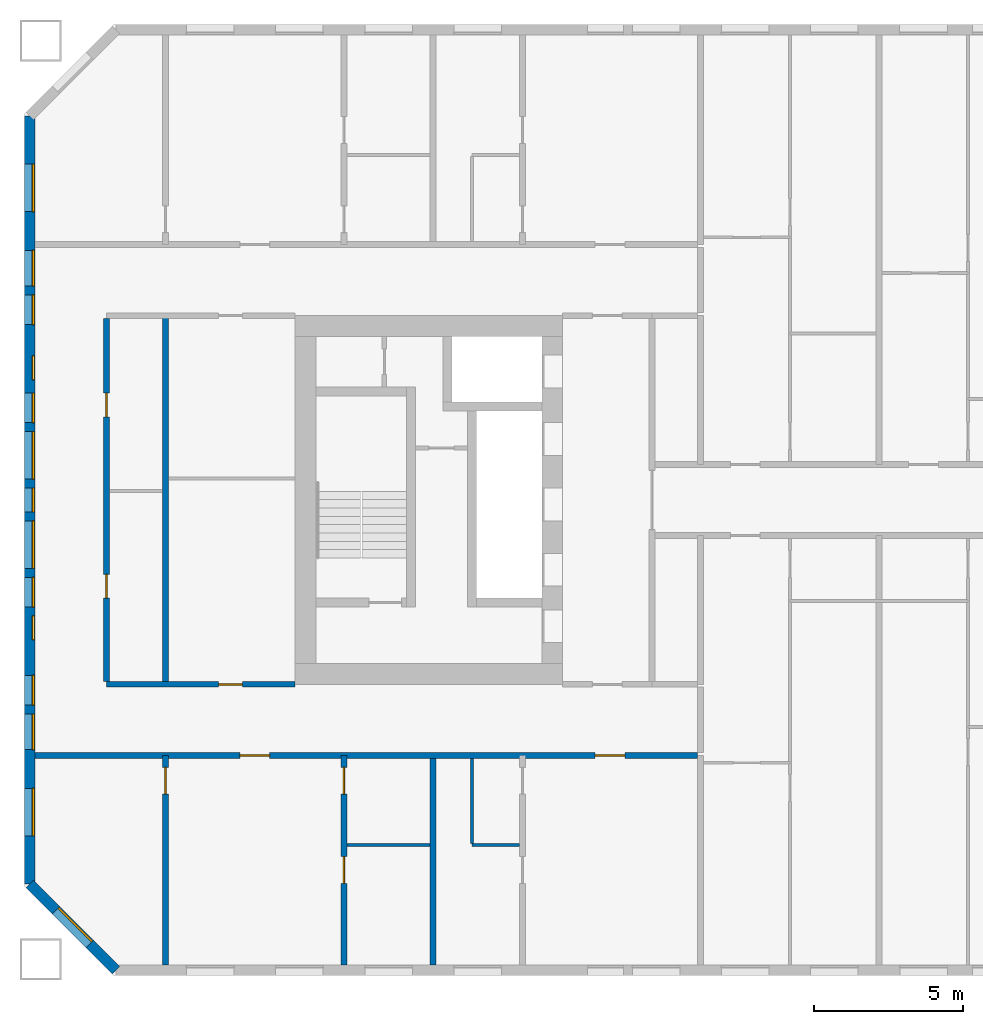
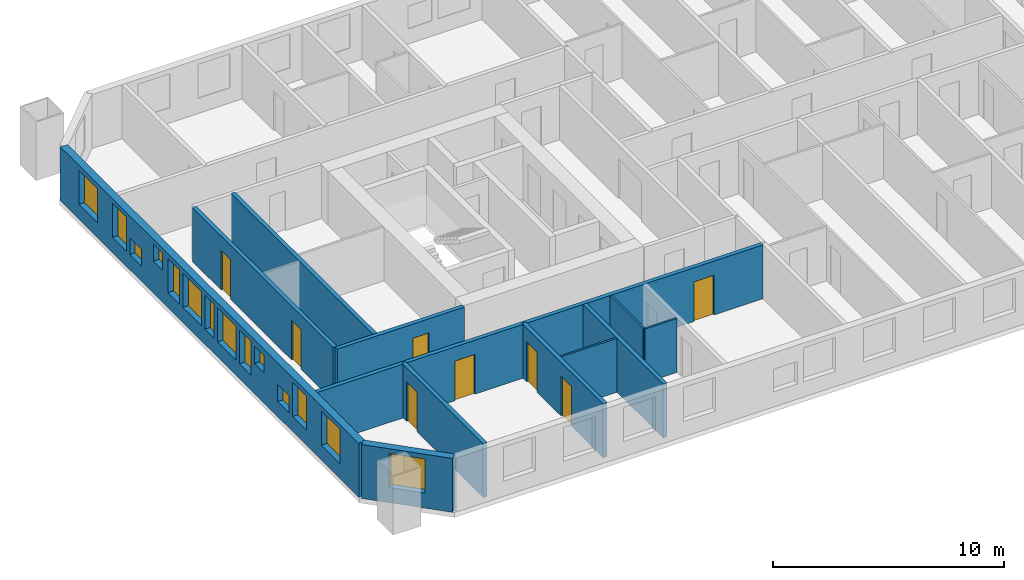
# One storey, part 2 of 17: 14 windows, 12 walls, 8 doors, 22 openings.
"""IFC4 building model written with IfcOpenShell, lengths in metres."""

from ifc_helpers import new_model, si_unit, direction, frame, frame_2d, origin, place, context, subcontext, project, spatial, rectangle, extrude, material, layer, layer_set, type_object, element, fill, save


model = new_model("IFC4")

# Units and contexts
model_context = context("Model", 3, precision=1e-05, world=origin(), true_north=direction((0.0, 1.0)))
body_context = subcontext(model_context, "Body", "Model", "MODEL_VIEW")
ifc_project = project(units=[si_unit("LENGTHUNIT", "METRE"), si_unit("AREAUNIT", "SQUARE_METRE"), si_unit("VOLUMEUNIT", "CUBIC_METRE"), si_unit("PLANEANGLEUNIT", "RADIAN"), si_unit("MASSUNIT", "GRAM", prefix="KILO")], contexts=[model_context])

# Site, building, storey
site_placement = place(None, origin())
site = spatial("IfcSite", under=ifc_project, at=site_placement, CompositionType="ELEMENT")
building_placement = place(site_placement, origin())
building = spatial("IfcBuilding", under=site, at=building_placement, Name="Tuart Gate Housing", CompositionType="ELEMENT")
storey_placement = place(building_placement, frame((0.0, 0.0, 80.89990234375)))
storey = spatial("IfcBuildingStorey", under=building, at=storey_placement, Name="L22", CompositionType="ELEMENT", Elevation=80.89990234375)

# Wall, opening, window
ifc_material_1 = material(Name="Brick", Category="masonry")
ifc_layer_1 = layer(ifc_material_1, 0.360107421875)
ifc_layer_set_1 = layer_set([ifc_layer_1], Name="Brick pier and spandrel wall 360")
wall_type_1 = type_object("IfcWallType", Name="Brick pier and spandrel wall 360", PredefinedType="STANDARD", material=ifc_layer_set_1)
wall_1_placement = place(storey_placement, frame((23.429931640625, 57.07470703125, 0.0), z_axis=(0.0, 0.0, 1.0), x_axis=(0.707106781187, -0.707106781187, 0.0)))
wall_1 = element("IfcWall", 1, at=wall_1_placement, inside=storey, type_object=wall_type_1, Name="External wall A-SW L22", PredefinedType="STANDARD", context=body_context, shape_type="SweptSolid", body=[
    extrude(rectangle(XDim=4.09375, YDim=0.360107421875, at=frame_2d((2.046875, 0.0))), origin(), (0.0, 0.0, 1.0), 2.85009765625),
])
opening_1_placement = place(wall_1_placement, frame((1.2470703125, 0.0, 0.800048828125)))
opening_1 = element("IfcOpeningElement", 2, at=opening_1_placement, cuts=wall_1, Name="Opening W1", PredefinedType="OPENING", context=body_context, shape_type="SweptSolid", body=[
    extrude(rectangle(XDim=1.60009765625, YDim=1.800048828125, at=frame_2d((0.800048828125, 0.89990234375))), frame((0.0, 0.18994140625, 0.0), z_axis=(0.0, -1.0, 0.0), x_axis=(1.0, 0.0, 0.0)), (0.0, 0.0, 1.0), 0.380126953125),
])
ifc_material_2 = material(Name="Aluminium frame with clear glass", Category="aluminium")
window_type_1 = type_object("IfcWindowType", Name="Punched window 1600 x 1800", PartitioningType="SINGLE_PANEL", PredefinedType="WINDOW", material=ifc_material_2)
window_1_placement = place(opening_1_placement, origin())
window_1 = element("IfcWindow", 3, at=window_1_placement, inside=storey, type_object=window_type_1, Name="Window W1", OverallHeight=1.800048828125, OverallWidth=1.60009765625, PartitioningType="SINGLE_PANEL", PredefinedType="WINDOW", context=body_context, shape_type="SweptSolid", body=[
    extrude(rectangle(XDim=1.60009765625, YDim=1.800048828125, at=frame_2d((0.800048828125, 0.89990234375))), frame((0.0, 0.150146484375, 0.0), z_axis=(0.0, -1.0, 0.0), x_axis=(1.0, 0.0, 0.0)), (0.0, 0.0, 1.0), 0.06005859375),
])
fill(opening_1, window_1)

# Wall, openings, windows
wall_2_placement = place(storey_placement, frame((23.429931640625, 82.92529296875, 0.0), z_axis=(0.0, 0.0, 1.0), x_axis=(0.0, -1.0, 0.0)))
wall_2 = element("IfcWall", 4, at=wall_2_placement, inside=storey, type_object=wall_type_1, Name="External wall A-W L22", PredefinedType="STANDARD", context=body_context, shape_type="SweptSolid", body=[
    extrude(rectangle(XDim=25.850830078125, YDim=0.360107421875, at=frame_2d((12.92529296875, 0.0))), origin(), (0.0, 0.0, 1.0), 2.85009765625),
])
opening_2_placement = place(wall_2_placement, frame((1.62548828125, 0.0, 0.800048828125)))
opening_2 = element("IfcOpeningElement", 5, at=opening_2_placement, cuts=wall_2, Name="Opening W1", PredefinedType="OPENING", context=body_context, shape_type="SweptSolid", body=[
    extrude(rectangle(XDim=1.60009765625, YDim=1.800048828125, at=frame_2d((0.800048828125, 0.89990234375))), frame((0.0, 0.18994140625, 0.0), z_axis=(0.0, -1.0, 0.0), x_axis=(1.0, 0.0, 0.0)), (0.0, 0.0, 1.0), 0.380126953125),
])
opening_3_placement = place(wall_2_placement, frame((4.525390625, 0.0, 0.800048828125)))
opening_3 = element("IfcOpeningElement", 6, at=opening_3_placement, cuts=wall_2, Name="Opening W1B", PredefinedType="OPENING", context=body_context, shape_type="SweptSolid", body=[
    extrude(rectangle(XDim=1.199951171875, YDim=1.800048828125, at=frame_2d((0.60009765625, 0.89990234375))), frame((0.0, 0.18994140625, 0.0), z_axis=(0.0, -1.0, 0.0), x_axis=(1.0, 0.0, 0.0)), (0.0, 0.0, 1.0), 0.380126953125),
])
opening_4_placement = place(wall_2_placement, frame((6.025390625, 0.0, 0.800048828125)))
opening_4 = element("IfcOpeningElement", 7, at=opening_4_placement, cuts=wall_2, Name="Opening W1U", PredefinedType="OPENING", context=body_context, shape_type="SweptSolid", body=[
    extrude(rectangle(XDim=1.0, YDim=0.89990234375, at=frame_2d((0.5, 0.449951171875))), frame((0.0, 0.18994140625, 0.0), z_axis=(0.0, -1.0, 0.0), x_axis=(1.0, 0.0, 0.0)), (0.0, 0.0, 1.0), 0.380126953125),
])
opening_5_placement = place(wall_2_placement, frame((10.62548828125, 0.0, 0.800048828125)))
opening_5 = element("IfcOpeningElement", 8, at=opening_5_placement, cuts=wall_2, Name="Opening W1", PredefinedType="OPENING", context=body_context, shape_type="SweptSolid", body=[
    extrude(rectangle(XDim=1.60009765625, YDim=1.800048828125, at=frame_2d((0.800048828125, 0.89990234375))), frame((0.0, 0.18994140625, 0.0), z_axis=(0.0, -1.0, 0.0), x_axis=(1.0, 0.0, 0.0)), (0.0, 0.0, 1.0), 0.380126953125),
])
opening_6_placement = place(wall_2_placement, frame((13.62548828125, 0.0, 0.800048828125)))
opening_6 = element("IfcOpeningElement", 9, at=opening_6_placement, cuts=wall_2, Name="Opening W1", PredefinedType="OPENING", context=body_context, shape_type="SweptSolid", body=[
    extrude(rectangle(XDim=1.60009765625, YDim=1.800048828125, at=frame_2d((0.800048828125, 0.89990234375))), frame((0.0, 0.18994140625, 0.0), z_axis=(0.0, -1.0, 0.0), x_axis=(1.0, 0.0, 0.0)), (0.0, 0.0, 1.0), 0.380126953125),
])
opening_7_placement = place(wall_2_placement, frame((8.075439453125, 0.0, 1.699951171875)))
opening_7 = element("IfcOpeningElement", 10, at=opening_7_placement, cuts=wall_2, Name="Opening W1V", PredefinedType="OPENING", context=body_context, shape_type="SweptSolid", body=[
    extrude(rectangle(XDim=0.800048828125, YDim=0.89990234375, at=frame_2d((0.39990234375, 0.449951171875))), frame((0.0, 0.18994140625, 0.0), z_axis=(0.0, -1.0, 0.0), x_axis=(1.0, 0.0, 0.0)), (0.0, 0.0, 1.0), 0.380126953125),
])
opening_8_placement = place(wall_2_placement, frame((9.325439453125, 0.0, 0.800048828125)))
opening_8 = element("IfcOpeningElement", 11, at=opening_8_placement, cuts=wall_2, Name="Opening W1C", PredefinedType="OPENING", context=body_context, shape_type="SweptSolid", body=[
    extrude(rectangle(XDim=1.0, YDim=1.800048828125, at=frame_2d((0.5, 0.89990234375))), frame((0.0, 0.18994140625, 0.0), z_axis=(0.0, -1.0, 0.0), x_axis=(1.0, 0.0, 0.0)), (0.0, 0.0, 1.0), 0.380126953125),
])
opening_9_placement = place(wall_2_placement, frame((22.62548828125, 0.0, 0.800048828125)))
opening_9 = element("IfcOpeningElement", 12, at=opening_9_placement, cuts=wall_2, Name="Opening W1", PredefinedType="OPENING", context=body_context, shape_type="SweptSolid", body=[
    extrude(rectangle(XDim=1.60009765625, YDim=1.800048828125, at=frame_2d((0.800048828125, 0.89990234375))), frame((0.0, 0.18994140625, 0.0), z_axis=(0.0, -1.0, 0.0), x_axis=(1.0, 0.0, 0.0)), (0.0, 0.0, 1.0), 0.380126953125),
])
opening_10_placement = place(wall_2_placement, frame((12.525390625, 0.0, 0.800048828125)))
opening_10 = element("IfcOpeningElement", 13, at=opening_10_placement, cuts=wall_2, Name="Opening W1D", PredefinedType="OPENING", context=body_context, shape_type="SweptSolid", body=[
    extrude(rectangle(XDim=0.800048828125, YDim=1.800048828125, at=frame_2d((0.39990234375, 0.89990234375))), frame((0.0, 0.18994140625, 0.0), z_axis=(0.0, -1.0, 0.0), x_axis=(1.0, 0.0, 0.0)), (0.0, 0.0, 1.0), 0.380126953125),
])
opening_11_placement = place(wall_2_placement, frame((15.525390625, 0.0, 0.800048828125)))
opening_11 = element("IfcOpeningElement", 14, at=opening_11_placement, cuts=wall_2, Name="Opening W1C", PredefinedType="OPENING", context=body_context, shape_type="SweptSolid", body=[
    extrude(rectangle(XDim=1.0, YDim=1.800048828125, at=frame_2d((0.5, 0.89990234375))), frame((0.0, 0.18994140625, 0.0), z_axis=(0.0, -1.0, 0.0), x_axis=(1.0, 0.0, 0.0)), (0.0, 0.0, 1.0), 0.380126953125),
])
opening_12_placement = place(wall_2_placement, frame((16.825439453125, 0.0, 1.60009765625)))
opening_12 = element("IfcOpeningElement", 15, at=opening_12_placement, cuts=wall_2, Name="Opening W1V", PredefinedType="OPENING", context=body_context, shape_type="SweptSolid", body=[
    extrude(rectangle(XDim=0.800048828125, YDim=0.89990234375, at=frame_2d((0.39990234375, 0.449951171875))), frame((0.0, 0.18994140625, 0.0), z_axis=(0.0, -1.0, 0.0), x_axis=(1.0, 0.0, 0.0)), (0.0, 0.0, 1.0), 0.380126953125),
])
opening_13_placement = place(wall_2_placement, frame((18.825439453125, 0.0, 0.800048828125)))
opening_13 = element("IfcOpeningElement", 16, at=opening_13_placement, cuts=wall_2, Name="Opening W1U", PredefinedType="OPENING", context=body_context, shape_type="SweptSolid", body=[
    extrude(rectangle(XDim=1.0, YDim=0.89990234375, at=frame_2d((0.5, 0.449951171875))), frame((0.0, 0.18994140625, 0.0), z_axis=(0.0, -1.0, 0.0), x_axis=(1.0, 0.0, 0.0)), (0.0, 0.0, 1.0), 0.380126953125),
])
opening_14_placement = place(wall_2_placement, frame((20.12548828125, 0.0, 0.800048828125)))
opening_14 = element("IfcOpeningElement", 17, at=opening_14_placement, cuts=wall_2, Name="Opening W1B", PredefinedType="OPENING", context=body_context, shape_type="SweptSolid", body=[
    extrude(rectangle(XDim=1.199951171875, YDim=1.800048828125, at=frame_2d((0.60009765625, 0.89990234375))), frame((0.0, 0.18994140625, 0.0), z_axis=(0.0, -1.0, 0.0), x_axis=(1.0, 0.0, 0.0)), (0.0, 0.0, 1.0), 0.380126953125),
])
ifc_material_3 = material(Name="Aluminium frame with clear glass", Category="aluminium")
window_type_2 = type_object("IfcWindowType", Name="Punched window 1000 x 1800", PartitioningType="SINGLE_PANEL", PredefinedType="WINDOW", material=ifc_material_3)
window_2_placement = place(opening_8_placement, origin())
window_2 = element("IfcWindow", 18, at=window_2_placement, inside=storey, type_object=window_type_2, Name="Window W1C", OverallHeight=1.800048828125, OverallWidth=1.0, PartitioningType="SINGLE_PANEL", PredefinedType="WINDOW", context=body_context, shape_type="SweptSolid", body=[
    extrude(rectangle(XDim=1.0, YDim=1.800048828125, at=frame_2d((0.5, 0.89990234375))), frame((0.0, 0.150146484375, 0.0), z_axis=(0.0, -1.0, 0.0), x_axis=(1.0, 0.0, 0.0)), (0.0, 0.0, 1.0), 0.06005859375),
])
fill(opening_8, window_2)
window_3_placement = place(opening_11_placement, origin())
window_3 = element("IfcWindow", 19, at=window_3_placement, inside=storey, type_object=window_type_2, Name="Window W1C", OverallHeight=1.800048828125, OverallWidth=1.0, PartitioningType="SINGLE_PANEL", PredefinedType="WINDOW", context=body_context, shape_type="SweptSolid", body=[
    extrude(rectangle(XDim=1.0, YDim=1.800048828125, at=frame_2d((0.5, 0.89990234375))), frame((0.0, 0.150146484375, 0.0), z_axis=(0.0, -1.0, 0.0), x_axis=(1.0, 0.0, 0.0)), (0.0, 0.0, 1.0), 0.06005859375),
])
fill(opening_11, window_3)
ifc_material_4 = material(Name="Aluminium frame with clear glass", Category="aluminium")
window_type_3 = type_object("IfcWindowType", Name="Punched window 1000 x 900", PartitioningType="SINGLE_PANEL", PredefinedType="WINDOW", material=ifc_material_4)
window_4_placement = place(opening_4_placement, origin())
window_4 = element("IfcWindow", 20, at=window_4_placement, inside=storey, type_object=window_type_3, Name="Window W1U", OverallHeight=0.89990234375, OverallWidth=1.0, PartitioningType="SINGLE_PANEL", PredefinedType="WINDOW", context=body_context, shape_type="SweptSolid", body=[
    extrude(rectangle(XDim=1.0, YDim=0.89990234375, at=frame_2d((0.5, 0.449951171875))), frame((0.0, 0.150146484375, 0.0), z_axis=(0.0, -1.0, 0.0), x_axis=(1.0, 0.0, 0.0)), (0.0, 0.0, 1.0), 0.06005859375),
])
fill(opening_4, window_4)
window_5_placement = place(opening_13_placement, origin())
window_5 = element("IfcWindow", 21, at=window_5_placement, inside=storey, type_object=window_type_3, Name="Window W1U", OverallHeight=0.89990234375, OverallWidth=1.0, PartitioningType="SINGLE_PANEL", PredefinedType="WINDOW", context=body_context, shape_type="SweptSolid", body=[
    extrude(rectangle(XDim=1.0, YDim=0.89990234375, at=frame_2d((0.5, 0.449951171875))), frame((0.0, 0.150146484375, 0.0), z_axis=(0.0, -1.0, 0.0), x_axis=(1.0, 0.0, 0.0)), (0.0, 0.0, 1.0), 0.06005859375),
])
fill(opening_13, window_5)
ifc_material_5 = material(Name="Aluminium frame with clear glass", Category="aluminium")
window_type_4 = type_object("IfcWindowType", Name="Punched window 1200 x 1800", PartitioningType="SINGLE_PANEL", PredefinedType="WINDOW", material=ifc_material_5)
window_6_placement = place(opening_3_placement, origin())
window_6 = element("IfcWindow", 22, at=window_6_placement, inside=storey, type_object=window_type_4, Name="Window W1B", OverallHeight=1.800048828125, OverallWidth=1.199951171875, PartitioningType="SINGLE_PANEL", PredefinedType="WINDOW", context=body_context, shape_type="SweptSolid", body=[
    extrude(rectangle(XDim=1.199951171875, YDim=1.800048828125, at=frame_2d((0.60009765625, 0.89990234375))), frame((0.0, 0.150146484375, 0.0), z_axis=(0.0, -1.0, 0.0), x_axis=(1.0, 0.0, 0.0)), (0.0, 0.0, 1.0), 0.06005859375),
])
fill(opening_3, window_6)
window_7_placement = place(opening_14_placement, origin())
window_7 = element("IfcWindow", 23, at=window_7_placement, inside=storey, type_object=window_type_4, Name="Window W1B", OverallHeight=1.800048828125, OverallWidth=1.199951171875, PartitioningType="SINGLE_PANEL", PredefinedType="WINDOW", context=body_context, shape_type="SweptSolid", body=[
    extrude(rectangle(XDim=1.199951171875, YDim=1.800048828125, at=frame_2d((0.60009765625, 0.89990234375))), frame((0.0, 0.150146484375, 0.0), z_axis=(0.0, -1.0, 0.0), x_axis=(1.0, 0.0, 0.0)), (0.0, 0.0, 1.0), 0.06005859375),
])
fill(opening_14, window_7)
window_8_placement = place(opening_2_placement, origin())
window_8 = element("IfcWindow", 24, at=window_8_placement, inside=storey, type_object=window_type_1, Name="Window W1", OverallHeight=1.800048828125, OverallWidth=1.60009765625, PartitioningType="SINGLE_PANEL", PredefinedType="WINDOW", context=body_context, shape_type="SweptSolid", body=[
    extrude(rectangle(XDim=1.60009765625, YDim=1.800048828125, at=frame_2d((0.800048828125, 0.89990234375))), frame((0.0, 0.150146484375, 0.0), z_axis=(0.0, -1.0, 0.0), x_axis=(1.0, 0.0, 0.0)), (0.0, 0.0, 1.0), 0.06005859375),
])
fill(opening_2, window_8)
window_9_placement = place(opening_5_placement, origin())
window_9 = element("IfcWindow", 25, at=window_9_placement, inside=storey, type_object=window_type_1, Name="Window W1", OverallHeight=1.800048828125, OverallWidth=1.60009765625, PartitioningType="SINGLE_PANEL", PredefinedType="WINDOW", context=body_context, shape_type="SweptSolid", body=[
    extrude(rectangle(XDim=1.60009765625, YDim=1.800048828125, at=frame_2d((0.800048828125, 0.89990234375))), frame((0.0, 0.150146484375, 0.0), z_axis=(0.0, -1.0, 0.0), x_axis=(1.0, 0.0, 0.0)), (0.0, 0.0, 1.0), 0.06005859375),
])
fill(opening_5, window_9)
window_10_placement = place(opening_6_placement, origin())
window_10 = element("IfcWindow", 26, at=window_10_placement, inside=storey, type_object=window_type_1, Name="Window W1", OverallHeight=1.800048828125, OverallWidth=1.60009765625, PartitioningType="SINGLE_PANEL", PredefinedType="WINDOW", context=body_context, shape_type="SweptSolid", body=[
    extrude(rectangle(XDim=1.60009765625, YDim=1.800048828125, at=frame_2d((0.800048828125, 0.89990234375))), frame((0.0, 0.150146484375, 0.0), z_axis=(0.0, -1.0, 0.0), x_axis=(1.0, 0.0, 0.0)), (0.0, 0.0, 1.0), 0.06005859375),
])
fill(opening_6, window_10)
window_11_placement = place(opening_9_placement, origin())
window_11 = element("IfcWindow", 27, at=window_11_placement, inside=storey, type_object=window_type_1, Name="Window W1", OverallHeight=1.800048828125, OverallWidth=1.60009765625, PartitioningType="SINGLE_PANEL", PredefinedType="WINDOW", context=body_context, shape_type="SweptSolid", body=[
    extrude(rectangle(XDim=1.60009765625, YDim=1.800048828125, at=frame_2d((0.800048828125, 0.89990234375))), frame((0.0, 0.150146484375, 0.0), z_axis=(0.0, -1.0, 0.0), x_axis=(1.0, 0.0, 0.0)), (0.0, 0.0, 1.0), 0.06005859375),
])
fill(opening_9, window_11)
ifc_material_6 = material(Name="Aluminium frame with clear glass", Category="aluminium")
window_type_5 = type_object("IfcWindowType", Name="Punched window 800 x 1800", PartitioningType="SINGLE_PANEL", PredefinedType="WINDOW", material=ifc_material_6)
window_12_placement = place(opening_10_placement, origin())
window_12 = element("IfcWindow", 28, at=window_12_placement, inside=storey, type_object=window_type_5, Name="Window W1D", OverallHeight=1.800048828125, OverallWidth=0.800048828125, PartitioningType="SINGLE_PANEL", PredefinedType="WINDOW", context=body_context, shape_type="SweptSolid", body=[
    extrude(rectangle(XDim=0.800048828125, YDim=1.800048828125, at=frame_2d((0.39990234375, 0.89990234375))), frame((0.0, 0.150146484375, 0.0), z_axis=(0.0, -1.0, 0.0), x_axis=(1.0, 0.0, 0.0)), (0.0, 0.0, 1.0), 0.06005859375),
])
fill(opening_10, window_12)
ifc_material_7 = material(Name="Aluminium frame with clear glass", Category="aluminium")
window_type_6 = type_object("IfcWindowType", Name="Punched window 800 x 900", PartitioningType="SINGLE_PANEL", PredefinedType="WINDOW", material=ifc_material_7)
window_13_placement = place(opening_7_placement, origin())
window_13 = element("IfcWindow", 29, at=window_13_placement, inside=storey, type_object=window_type_6, Name="Window W1V", OverallHeight=0.89990234375, OverallWidth=0.800048828125, PartitioningType="SINGLE_PANEL", PredefinedType="WINDOW", context=body_context, shape_type="SweptSolid", body=[
    extrude(rectangle(XDim=0.800048828125, YDim=0.89990234375, at=frame_2d((0.39990234375, 0.449951171875))), frame((0.0, 0.150146484375, 0.0), z_axis=(0.0, -1.0, 0.0), x_axis=(1.0, 0.0, 0.0)), (0.0, 0.0, 1.0), 0.06005859375),
])
fill(opening_7, window_13)
window_14_placement = place(opening_12_placement, origin())
window_14 = element("IfcWindow", 30, at=window_14_placement, inside=storey, type_object=window_type_6, Name="Window W1V", OverallHeight=0.89990234375, OverallWidth=0.800048828125, PartitioningType="SINGLE_PANEL", PredefinedType="WINDOW", context=body_context, shape_type="SweptSolid", body=[
    extrude(rectangle(XDim=0.800048828125, YDim=0.89990234375, at=frame_2d((0.39990234375, 0.449951171875))), frame((0.0, 0.150146484375, 0.0), z_axis=(0.0, -1.0, 0.0), x_axis=(1.0, 0.0, 0.0)), (0.0, 0.0, 1.0), 0.06005859375),
])
fill(opening_12, window_14)

# Wall, openings, doors
ifc_material_8 = material(Name="Concrete masonry 15 MPa", Category="masonry")
ifc_layer_2 = layer(ifc_material_8, 0.199951171875)
ifc_layer_set_2 = layer_set([ifc_layer_2], Name="Corridor wall masonry 200")
wall_type_2 = type_object("IfcWallType", Name="Corridor wall masonry 200", PredefinedType="PARTITIONING", material=ifc_layer_set_2)
wall_3_placement = place(storey_placement, frame((23.610107421875, 61.39990234375, 0.0), z_axis=(0.0, 0.0, 1.0), x_axis=(1.0, 0.0, 0.0)))
wall_3 = element("IfcWall", 31, at=wall_3_placement, inside=storey, type_object=wall_type_2, Name="Corridor wall masonry 200", PredefinedType="PARTITIONING", context=body_context, shape_type="SweptSolid", body=[
    extrude(rectangle(XDim=22.289794921875, YDim=0.199951171875, at=frame_2d((11.14501953125, 0.0))), origin(), (0.0, 0.0, 1.0), 2.85009765625),
])
opening_15_placement = place(wall_3_placement, frame((18.840087890625, 0.0, 0.0)))
opening_15 = element("IfcOpeningElement", 32, at=opening_15_placement, cuts=wall_3, Name="Opening D1001", PredefinedType="OPENING", context=body_context, shape_type="SweptSolid", body=[
    extrude(rectangle(XDim=1.0, YDim=2.10009765625, at=frame_2d((0.5, 1.050048828125))), frame((0.0, 0.10986328125, 0.0), z_axis=(0.0, -1.0, 0.0), x_axis=(1.0, 0.0, 0.0)), (0.0, 0.0, 1.0), 0.219970703125),
])
opening_16_placement = place(wall_3_placement, frame((6.889892578125, 0.0, 0.0)))
opening_16 = element("IfcOpeningElement", 33, at=opening_16_placement, cuts=wall_3, Name="Opening D1002", PredefinedType="OPENING", context=body_context, shape_type="SweptSolid", body=[
    extrude(rectangle(XDim=1.0, YDim=2.10009765625, at=frame_2d((0.5, 1.050048828125))), frame((0.0, 0.10986328125, 0.0), z_axis=(0.0, -1.0, 0.0), x_axis=(1.0, 0.0, 0.0)), (0.0, 0.0, 1.0), 0.219970703125),
])
ifc_material_9 = material(Name="Timber door leaf in steel frame", Category="steel")
door_type_1 = type_object("IfcDoorType", Name="Flat entrance door 1000 RH", OperationType="SINGLE_SWING_RIGHT", PredefinedType="DOOR", material=ifc_material_9)
door_1_placement = place(opening_15_placement, frame((1.0, 0.0, 0.0), z_axis=(0.0, 0.0, 1.0), x_axis=(-1.0, 0.0, 0.0)))
door_1 = element("IfcDoor", 34, at=door_1_placement, inside=storey, type_object=door_type_1, Name="Flat entrance door", OperationType="SINGLE_SWING_RIGHT", OverallHeight=2.10009765625, OverallWidth=1.0, PredefinedType="DOOR", context=body_context, shape_type="SweptSolid", body=[
    extrude(rectangle(XDim=1.0, YDim=2.10009765625, at=frame_2d((0.5, 1.050048828125))), frame((0.0, 0.025146484375, 0.0), z_axis=(0.0, -1.0, 0.0), x_axis=(1.0, 0.0, 0.0)), (0.0, 0.0, 1.0), 0.050048828125),
])
fill(opening_15, door_1)
door_2_placement = place(opening_16_placement, frame((1.0, 0.0, 0.0), z_axis=(0.0, 0.0, 1.0), x_axis=(-1.0, 0.0, 0.0)))
door_2 = element("IfcDoor", 35, at=door_2_placement, inside=storey, type_object=door_type_1, Name="Flat entrance door", OperationType="SINGLE_SWING_RIGHT", OverallHeight=2.10009765625, OverallWidth=1.0, PredefinedType="DOOR", context=body_context, shape_type="SweptSolid", body=[
    extrude(rectangle(XDim=1.0, YDim=2.10009765625, at=frame_2d((0.5, 1.050048828125))), frame((0.0, 0.025146484375, 0.0), z_axis=(0.0, -1.0, 0.0), x_axis=(1.0, 0.0, 0.0)), (0.0, 0.0, 1.0), 0.050048828125),
])
fill(opening_16, door_2)

# Wall, opening, door
wall_4_placement = place(storey_placement, frame((26.010009765625, 63.800048828125, 0.0), z_axis=(0.0, 0.0, 1.0), x_axis=(1.0, 0.0, 0.0)))
wall_4 = element("IfcWall", 36, at=wall_4_placement, inside=storey, type_object=wall_type_2, Name="Corridor wall masonry 200", PredefinedType="PARTITIONING", context=body_context, shape_type="SweptSolid", body=[
    extrude(rectangle(XDim=6.35009765625, YDim=0.199951171875, at=frame_2d((3.175048828125, 0.0))), origin(), (0.0, 0.0, 1.0), 2.85009765625),
])
opening_17_placement = place(wall_4_placement, frame((3.77001953125, 0.0, 0.0)))
opening_17 = element("IfcOpeningElement", 37, at=opening_17_placement, cuts=wall_4, Name="Opening D990", PredefinedType="OPENING", context=body_context, shape_type="SweptSolid", body=[
    extrude(rectangle(XDim=0.800048828125, YDim=2.10009765625, at=frame_2d((0.39990234375, 1.050048828125))), frame((0.0, 0.10986328125, 0.0), z_axis=(0.0, -1.0, 0.0), x_axis=(1.0, 0.0, 0.0)), (0.0, 0.0, 1.0), 0.219970703125),
])
ifc_material_10 = material(Name="Timber door leaf in steel frame", Category="steel")
door_type_2 = type_object("IfcDoorType", Name="Store door 800", OperationType="SINGLE_SWING_LEFT", PredefinedType="DOOR", material=ifc_material_10)
door_3_placement = place(opening_17_placement, origin())
door_3 = element("IfcDoor", 38, at=door_3_placement, inside=storey, type_object=door_type_2, Name="Store door", OperationType="SINGLE_SWING_LEFT", OverallHeight=2.10009765625, OverallWidth=0.800048828125, PredefinedType="DOOR", context=body_context, shape_type="SweptSolid", body=[
    extrude(rectangle(XDim=0.800048828125, YDim=2.10009765625, at=frame_2d((0.39990234375, 1.050048828125))), frame((0.0, 0.02490234375, 0.0), z_axis=(0.0, -1.0, 0.0), x_axis=(1.0, 0.0, 0.0)), (0.0, 0.0, 1.0), 0.050048828125),
])
fill(opening_17, door_3)

# Wall, openings, doors
wall_5_placement = place(storey_placement, frame((26.010009765625, 63.89990234375, 0.0), z_axis=(0.0, 0.0, 1.0), x_axis=(0.0, 1.0, 0.0)))
wall_5 = element("IfcWall", 39, at=wall_5_placement, inside=storey, type_object=wall_type_2, Name="Corridor wall masonry 200", PredefinedType="PARTITIONING", context=body_context, shape_type="SweptSolid", body=[
    extrude(rectangle(XDim=12.2001953125, YDim=0.199951171875, at=frame_2d((6.10009765625, 0.0))), origin(), (0.0, 0.0, 1.0), 2.85009765625),
])
opening_18_placement = place(wall_5_placement, frame((2.800048828125, 0.0, 0.0)))
opening_18 = element("IfcOpeningElement", 40, at=opening_18_placement, cuts=wall_5, Name="Opening D979", PredefinedType="OPENING", context=body_context, shape_type="SweptSolid", body=[
    extrude(rectangle(XDim=0.800048828125, YDim=2.10009765625, at=frame_2d((0.39990234375, 1.050048828125))), frame((0.0, 0.10986328125, 0.0), z_axis=(0.0, -1.0, 0.0), x_axis=(1.0, 0.0, 0.0)), (0.0, 0.0, 1.0), 0.219970703125),
])
opening_19_placement = place(wall_5_placement, frame((8.89990234375, 0.0, 0.0)))
opening_19 = element("IfcOpeningElement", 41, at=opening_19_placement, cuts=wall_5, Name="Opening D980", PredefinedType="OPENING", context=body_context, shape_type="SweptSolid", body=[
    extrude(rectangle(XDim=0.800048828125, YDim=2.10009765625, at=frame_2d((0.39990234375, 1.050048828125))), frame((0.0, 0.10986328125, 0.0), z_axis=(0.0, -1.0, 0.0), x_axis=(1.0, 0.0, 0.0)), (0.0, 0.0, 1.0), 0.219970703125),
])
door_4_placement = place(opening_18_placement, frame((0.800048828125, 0.0, 0.0), z_axis=(0.0, 0.0, 1.0), x_axis=(-1.0, 0.0, 0.0)))
door_4 = element("IfcDoor", 42, at=door_4_placement, inside=storey, type_object=door_type_2, Name="Store door", OperationType="SINGLE_SWING_LEFT", OverallHeight=2.10009765625, OverallWidth=0.800048828125, PredefinedType="DOOR", context=body_context, shape_type="SweptSolid", body=[
    extrude(rectangle(XDim=0.800048828125, YDim=2.10009765625, at=frame_2d((0.400146484375, 1.050048828125))), frame((0.0, 0.025146484375, 0.0), z_axis=(0.0, -1.0, 0.0), x_axis=(1.0, 0.0, 0.0)), (0.0, 0.0, 1.0), 0.050048828125),
])
fill(opening_18, door_4)
ifc_material_11 = material(Name="Timber door leaf in steel frame", Category="steel")
door_type_3 = type_object("IfcDoorType", Name="Store door 800 RH", OperationType="SINGLE_SWING_RIGHT", PredefinedType="DOOR", material=ifc_material_11)
door_5_placement = place(opening_19_placement, frame((0.800048828125, 0.0, 0.0), z_axis=(0.0, 0.0, 1.0), x_axis=(-1.0, 0.0, 0.0)))
door_5 = element("IfcDoor", 43, at=door_5_placement, inside=storey, type_object=door_type_3, Name="Store door", OperationType="SINGLE_SWING_RIGHT", OverallHeight=2.10009765625, OverallWidth=0.800048828125, PredefinedType="DOOR", context=body_context, shape_type="SweptSolid", body=[
    extrude(rectangle(XDim=0.800048828125, YDim=2.10009765625, at=frame_2d((0.400146484375, 1.050048828125))), frame((0.0, 0.025146484375, 0.0), z_axis=(0.0, -1.0, 0.0), x_axis=(1.0, 0.0, 0.0)), (0.0, 0.0, 1.0), 0.050048828125),
])
fill(opening_19, door_5)

# Walls
ifc_material_12 = material(Name="Gypsum board on steel studs", Category="steel")
ifc_layer_3 = layer(ifc_material_12, 0.10009765625)
ifc_layer_set_3 = layer_set([ifc_layer_3], Name="Partition 100")
wall_type_3 = type_object("IfcWallType", Name="Partition 100", PredefinedType="PARTITIONING", material=ifc_layer_set_3)
wall_6_placement = place(storey_placement, frame((34.10009765625, 58.39990234375, 0.0), z_axis=(0.0, 0.0, 1.0), x_axis=(1.0, 0.0, 0.0)))
element("IfcWall", 44, at=wall_6_placement, inside=storey, type_object=wall_type_3, Name="Partition 100", PredefinedType="PARTITIONING", context=body_context, shape_type="SweptSolid", body=[
    extrude(rectangle(XDim=2.7998046875, YDim=0.10009765625, at=frame_2d((1.39990234375, 0.0))), origin(), (0.0, 0.0, 1.0), 2.85009765625),
])
wall_7_placement = place(storey_placement, frame((38.300048828125, 58.39990234375, 0.0), z_axis=(0.0, 0.0, 1.0), x_axis=(1.0, 0.0, 0.0)))
element("IfcWall", 45, at=wall_7_placement, inside=storey, type_object=wall_type_3, Name="Partition 100", PredefinedType="PARTITIONING", context=body_context, shape_type="SweptSolid", body=[
    extrude(rectangle(XDim=1.599853515625, YDim=0.10009765625, at=frame_2d((0.7998046875, 0.0))), origin(), (0.0, 0.0, 1.0), 2.85009765625),
])
wall_8_placement = place(storey_placement, frame((38.300048828125, 58.449951171875, 0.0), z_axis=(0.0, 0.0, 1.0), x_axis=(0.0, 1.0, 0.0)))
element("IfcWall", 46, at=wall_8_placement, inside=storey, type_object=wall_type_3, Name="Partition 100", PredefinedType="PARTITIONING", context=body_context, shape_type="SweptSolid", body=[
    extrude(rectangle(XDim=2.85009765625, YDim=0.10009765625, at=frame_2d((1.425048828125, 0.0))), origin(), (0.0, 0.0, 1.0), 2.85009765625),
])

# Wall, opening, door
ifc_material_13 = material(Name="Concrete C40", Category="concrete")
ifc_layer_4 = layer(ifc_material_13, 0.199951171875)
ifc_layer_set_4 = layer_set([ifc_layer_4], Name="Party wall concrete C40 200")
wall_type_4 = type_object("IfcWallType", Name="Party wall concrete C40 200", PredefinedType="SOLIDWALL", material=ifc_layer_set_4)
wall_9_placement = place(storey_placement, frame((28.0, 54.360107421875, 0.0), z_axis=(0.0, 0.0, 1.0), x_axis=(0.0, 1.0, 0.0)))
wall_9 = element("IfcWall", 47, at=wall_9_placement, inside=storey, type_object=wall_type_4, Name="Party wall concrete C40 200", PredefinedType="SOLIDWALL", context=body_context, shape_type="SweptSolid", body=[
    extrude(rectangle(XDim=7.039794921875, YDim=0.199951171875, at=frame_2d((3.52001953125, 0.0))), origin(), (0.0, 0.0, 1.0), 2.85009765625),
])
opening_20_placement = place(wall_9_placement, frame((5.739990234375, 0.0, 0.0)))
opening_20 = element("IfcOpeningElement", 48, at=opening_20_placement, cuts=wall_9, Name="Opening D1008", PredefinedType="OPENING", context=body_context, shape_type="SweptSolid", body=[
    extrude(rectangle(XDim=0.89990234375, YDim=2.10009765625, at=frame_2d((0.449951171875, 1.050048828125))), frame((0.0, 0.10986328125, 0.0), z_axis=(0.0, -1.0, 0.0), x_axis=(1.0, 0.0, 0.0)), (0.0, 0.0, 1.0), 0.219970703125),
])
ifc_material_14 = material(Name="Timber door leaf in steel frame", Category="steel")
door_type_4 = type_object("IfcDoorType", Name="Internal door 900 RH", OperationType="SINGLE_SWING_RIGHT", PredefinedType="DOOR", material=ifc_material_14)
door_6_placement = place(opening_20_placement, origin())
door_6 = element("IfcDoor", 49, at=door_6_placement, inside=storey, type_object=door_type_4, Name="Internal door", OperationType="SINGLE_SWING_RIGHT", OverallHeight=2.10009765625, OverallWidth=0.89990234375, PredefinedType="DOOR", context=body_context, shape_type="SweptSolid", body=[
    extrude(rectangle(XDim=0.89990234375, YDim=2.10009765625, at=frame_2d((0.449951171875, 1.050048828125))), frame((0.0, 0.02490234375, 0.0), z_axis=(0.0, -1.0, 0.0), x_axis=(1.0, 0.0, 0.0)), (0.0, 0.0, 1.0), 0.050048828125),
])
fill(opening_20, door_6)

# Wall
wall_10_placement = place(storey_placement, frame((28.0, 63.800048828125, 0.0), z_axis=(0.0, 0.0, 1.0), x_axis=(0.0, 1.0, 0.0)))
element("IfcWall", 50, at=wall_10_placement, inside=storey, type_object=wall_type_4, Name="Party wall concrete C40 200", PredefinedType="SOLIDWALL", context=body_context, shape_type="SweptSolid", body=[
    extrude(rectangle(XDim=12.39990234375, YDim=0.199951171875, at=frame_2d((6.199951171875, 0.0))), origin(), (0.0, 0.0, 1.0), 2.85009765625),
])

# Wall, openings, doors
wall_11_placement = place(storey_placement, frame((34.0, 54.360107421875, 0.0), z_axis=(0.0, 0.0, 1.0), x_axis=(0.0, 1.0, 0.0)))
wall_11 = element("IfcWall", 51, at=wall_11_placement, inside=storey, type_object=wall_type_4, Name="Party wall concrete C40 200", PredefinedType="SOLIDWALL", context=body_context, shape_type="SweptSolid", body=[
    extrude(rectangle(XDim=7.039794921875, YDim=0.199951171875, at=frame_2d((3.52001953125, 0.0))), origin(), (0.0, 0.0, 1.0), 2.85009765625),
])
opening_21_placement = place(wall_11_placement, frame((2.739990234375, 0.0, 0.0)))
opening_21 = element("IfcOpeningElement", 52, at=opening_21_placement, cuts=wall_11, Name="Opening D1010", PredefinedType="OPENING", context=body_context, shape_type="SweptSolid", body=[
    extrude(rectangle(XDim=0.89990234375, YDim=2.10009765625, at=frame_2d((0.449951171875, 1.050048828125))), frame((0.0, 0.10986328125, 0.0), z_axis=(0.0, -1.0, 0.0), x_axis=(1.0, 0.0, 0.0)), (0.0, 0.0, 1.0), 0.219970703125),
])
opening_22_placement = place(wall_11_placement, frame((5.739990234375, 0.0, 0.0)))
opening_22 = element("IfcOpeningElement", 53, at=opening_22_placement, cuts=wall_11, Name="Opening D1009", PredefinedType="OPENING", context=body_context, shape_type="SweptSolid", body=[
    extrude(rectangle(XDim=0.89990234375, YDim=2.10009765625, at=frame_2d((0.449951171875, 1.050048828125))), frame((0.0, 0.10986328125, 0.0), z_axis=(0.0, -1.0, 0.0), x_axis=(1.0, 0.0, 0.0)), (0.0, 0.0, 1.0), 0.219970703125),
])
ifc_material_15 = material(Name="Timber door leaf in steel frame", Category="steel")
door_type_5 = type_object("IfcDoorType", Name="Bathroom door 900", OperationType="SINGLE_SWING_LEFT", PredefinedType="DOOR", material=ifc_material_15)
door_7_placement = place(opening_22_placement, frame((0.89990234375, 0.0, 0.0), z_axis=(0.0, 0.0, 1.0), x_axis=(-1.0, 0.0, 0.0)))
door_7 = element("IfcDoor", 54, at=door_7_placement, inside=storey, type_object=door_type_5, Name="Bathroom door", OperationType="SINGLE_SWING_LEFT", OverallHeight=2.10009765625, OverallWidth=0.89990234375, PredefinedType="DOOR", context=body_context, shape_type="SweptSolid", body=[
    extrude(rectangle(XDim=0.89990234375, YDim=2.10009765625, at=frame_2d((0.449951171875, 1.050048828125))), frame((0.0, 0.025146484375, 0.0), z_axis=(0.0, -1.0, 0.0), x_axis=(1.0, 0.0, 0.0)), (0.0, 0.0, 1.0), 0.050048828125),
])
fill(opening_22, door_7)
ifc_material_16 = material(Name="Timber door leaf in steel frame", Category="steel")
door_type_6 = type_object("IfcDoorType", Name="Internal door 900", OperationType="SINGLE_SWING_LEFT", PredefinedType="DOOR", material=ifc_material_16)
door_8_placement = place(opening_21_placement, frame((0.89990234375, 0.0, 0.0), z_axis=(0.0, 0.0, 1.0), x_axis=(-1.0, 0.0, 0.0)))
door_8 = element("IfcDoor", 55, at=door_8_placement, inside=storey, type_object=door_type_6, Name="Internal door", OperationType="SINGLE_SWING_LEFT", OverallHeight=2.10009765625, OverallWidth=0.89990234375, PredefinedType="DOOR", context=body_context, shape_type="SweptSolid", body=[
    extrude(rectangle(XDim=0.89990234375, YDim=2.10009765625, at=frame_2d((0.449951171875, 1.050048828125))), frame((0.0, 0.025146484375, 0.0), z_axis=(0.0, -1.0, 0.0), x_axis=(1.0, 0.0, 0.0)), (0.0, 0.0, 1.0), 0.050048828125),
])
fill(opening_21, door_8)

# Wall
ifc_material_17 = material(Name="Concrete masonry 15 MPa", Category="masonry")
ifc_layer_5 = layer(ifc_material_17, 0.199951171875)
ifc_layer_set_5 = layer_set([ifc_layer_5], Name="Party wall masonry 200")
wall_type_5 = type_object("IfcWallType", Name="Party wall masonry 200", PredefinedType="PARTITIONING", material=ifc_layer_set_5)
wall_12_placement = place(storey_placement, frame((37.0, 54.360107421875, 0.0), z_axis=(0.0, 0.0, 1.0), x_axis=(0.0, 1.0, 0.0)))
element("IfcWall", 56, at=wall_12_placement, inside=storey, type_object=wall_type_5, Name="Party wall masonry 200", PredefinedType="PARTITIONING", context=body_context, shape_type="SweptSolid", body=[
    extrude(rectangle(XDim=6.93994140625, YDim=0.199951171875, at=frame_2d((3.469970703125, 0.0))), origin(), (0.0, 0.0, 1.0), 2.85009765625),
])

save(model, "model.ifc")
